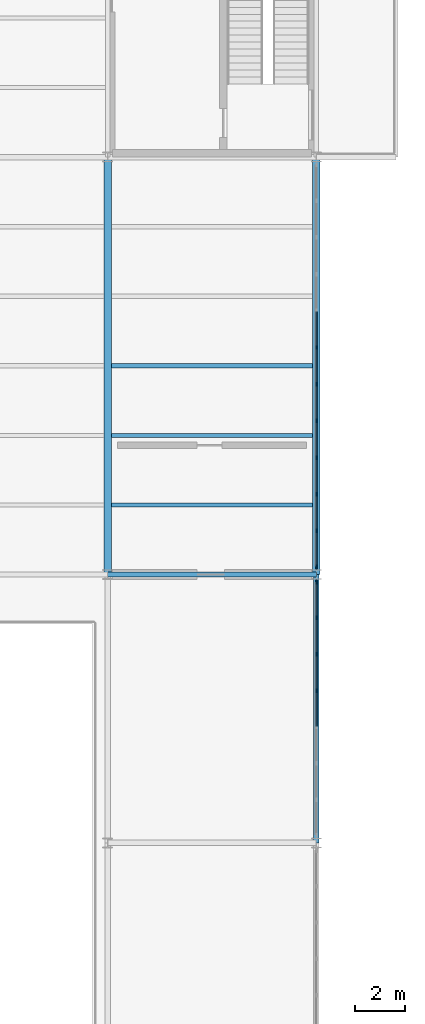
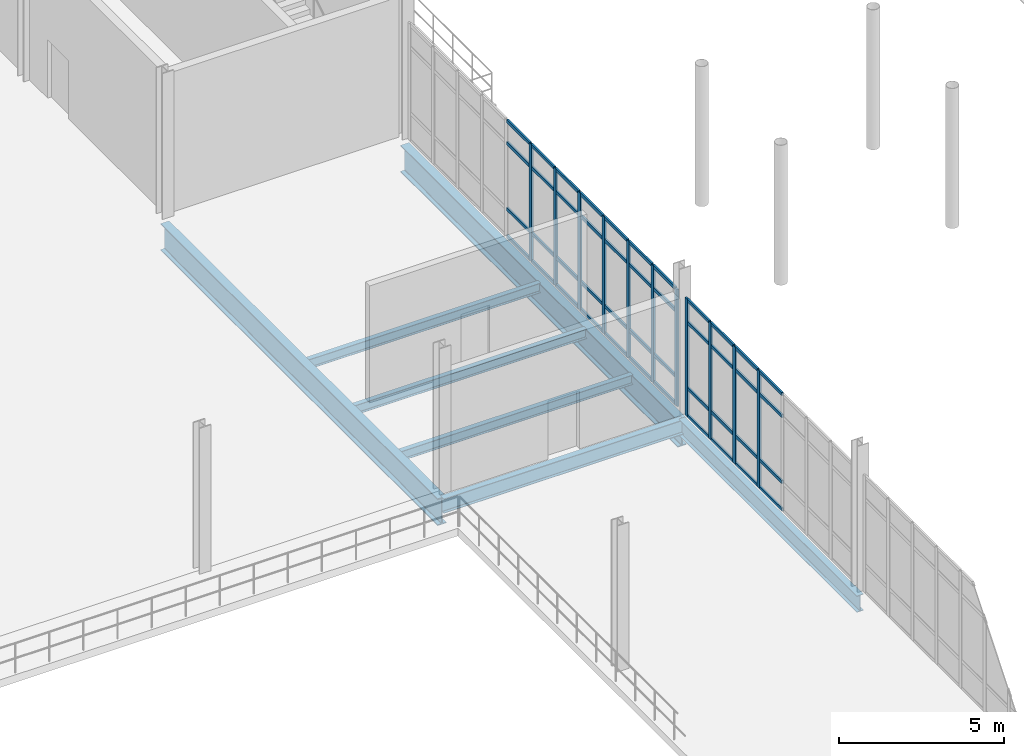
# One storey, part 40 of 111: 55 members, 7 beams, 2 elements without a shape of their own.
"""IFC4 building model written with IfcOpenShell, lengths in metres."""

from ifc_helpers import new_model, si_unit, direction, frame, origin, origin_2d, place, context, subcontext, project, spatial, rectangle, i_section, extrude, material, layer, layer_set, material_profile, profile_set, type_object, element, aggregate, save


model = new_model("IFC4")

# Units and contexts
model_context = context("Model", 3, precision=1e-05, world=origin(), true_north=direction((0.0, 1.0)))
body_context = subcontext(model_context, "Body", "Model", "MODEL_VIEW")
ifc_project = project(units=[si_unit("LENGTHUNIT", "METRE"), si_unit("AREAUNIT", "SQUARE_METRE"), si_unit("VOLUMEUNIT", "CUBIC_METRE"), si_unit("PLANEANGLEUNIT", "RADIAN"), si_unit("MASSUNIT", "GRAM", prefix="KILO"), si_unit("THERMODYNAMICTEMPERATUREUNIT", "KELVIN"), si_unit("POWERUNIT", "WATT")], contexts=[model_context])

# Site, building, storey
site_placement = place(None, origin())
site = spatial("IfcSite", under=ifc_project, at=site_placement, CompositionType="ELEMENT")
building_placement = place(site_placement, origin())
building = spatial("IfcBuilding", under=site, at=building_placement, Name="Tembeka Court Mobility Hub", CompositionType="ELEMENT")
storey_placement = place(building_placement, origin())
storey = spatial("IfcBuildingStorey", under=building, at=storey_placement, Name="L00", CompositionType="ELEMENT", Elevation=0.0)

# Beams
ifc_material_1 = material(Name="Steel S355", Category="steel")
ifc_material_profile_1 = material_profile(ifc_material_1, i_section(OverallWidth=0.22900390625, OverallDepth=0.612060546875, WebThickness=0.011962890625, FlangeThickness=0.01953125, FilletRadius=0.0126953125, at=origin_2d()), Name="UKB 610x229x125")
ifc_profile_set_1 = profile_set([ifc_material_profile_1], Name="Steel S355")
beam_type_1 = type_object("IfcBeamType", Name="BM-G02", PredefinedType="USERDEFINED", material=ifc_profile_set_1)
beam_1_placement = place(storey_placement, frame((92.39990234375, 10.800048828125, -0.5859375), z_axis=(0.0, 1.0, 0.0), x_axis=(-1.0, 0.0, 0.0)))
element("IfcBeam", 1, at=beam_1_placement, inside=storey, type_object=beam_type_1, Name="Beam G02 (BM-L00-Y0259)", ObjectType="GIRDER", PredefinedType="USERDEFINED", context=body_context, shape_type="SweptSolid", body=[
    extrude(i_section(OverallWidth=0.22900390625, OverallDepth=0.612060546875, WebThickness=0.011962890625, FlangeThickness=0.01953125, FilletRadius=0.0126953125, at=origin_2d()), origin(), (0.0, 0.0, 1.0), 10.800048828125),
])
ifc_material_profile_2 = material_profile(ifc_material_1, i_section(OverallWidth=0.2099609375, OverallDepth=0.537109375, WebThickness=0.0107421875, FlangeThickness=0.017333984375, FilletRadius=0.0126953125, at=origin_2d()), Name="UKB 533x210x101")
ifc_profile_set_2 = profile_set([ifc_material_profile_2], Name="Steel S355")
beam_type_2 = type_object("IfcBeamType", Name="BM-G03", PredefinedType="USERDEFINED", material=ifc_profile_set_2)
beam_2_placement = place(storey_placement, frame((84.0, 21.60009765625, -0.548583984375), z_axis=(1.0, 0.0, 0.0), x_axis=(0.0, 1.0, 0.0)))
element("IfcBeam", 2, at=beam_2_placement, inside=storey, type_object=beam_type_2, Name="Beam G03 (BM-L00-X0034)", ObjectType="GIRDER", PredefinedType="USERDEFINED", context=body_context, shape_type="SweptSolid", body=[
    extrude(i_section(OverallWidth=0.2099609375, OverallDepth=0.537109375, WebThickness=0.0107421875, FlangeThickness=0.017333984375, FilletRadius=0.0126953125, at=origin_2d()), origin(), (0.0, 0.0, 1.0), 8.39990234375),
])
ifc_material_profile_3 = material_profile(ifc_material_1, i_section(OverallWidth=0.172119140625, OverallDepth=0.35498046875, WebThickness=0.00732421875, FlangeThickness=0.011474609375, FilletRadius=0.01025390625, at=origin_2d()), Name="UKB 356x171x51")
ifc_profile_set_3 = profile_set([ifc_material_profile_3], Name="Steel S355")
beam_type_3 = type_object("IfcBeamType", Name="BM-J01", PredefinedType="JOIST", material=ifc_profile_set_3)
for number, where, z_axis, x_axis, name in (
    (3, (84.14501953125, 24.39990234375, -0.45751953125), (1.0, 0.0, 0.0), (0.0, 1.0, 0.0), "Beam J01 (JST-L00-0510)"),
    (4, (84.14501953125, 27.199951171875, -0.45751953125), (1.0, 0.0, 0.0), (0.0, 1.0, 0.0), "Beam J01 (JST-L00-0511)"),
    (5, (84.14501953125, 30.0, -0.45751953125), (1.0, 0.0, 0.0), (0.0, 1.0, 0.0), "Beam J01 (JST-L00-0512)"),
):
    element("IfcBeam", number, at=place(storey_placement, frame(where, z_axis=z_axis, x_axis=x_axis)), inside=storey, type_object=beam_type_3, Name=name, PredefinedType="JOIST", context=body_context, shape_type="SweptSolid", body=[
        extrude(i_section(OverallWidth=0.172119140625, OverallDepth=0.35498046875, WebThickness=0.00732421875, FlangeThickness=0.011474609375, FilletRadius=0.01025390625, at=origin_2d()), origin(), (0.0, 0.0, 1.0), 8.10986328125),
    ])
ifc_material_profile_4 = material_profile(ifc_material_1, i_section(OverallWidth=0.300048828125, OverallDepth=1.0, WebThickness=0.01904296875, FlangeThickness=0.035888671875, FilletRadius=0.030029296875, at=origin_2d()), Name="HEB 1000")
ifc_profile_set_4 = profile_set([ifc_material_profile_4], Name="Steel S355")
beam_type_4 = type_object("IfcBeamType", Name="BM-TG01", PredefinedType="USERDEFINED", material=ifc_profile_set_4)
for number, where, z_axis, x_axis, name in (
    (6, (84.0, 21.60009765625, -0.780029296875), (0.0, 1.0, 0.0), (-1.0, 0.0, 0.0), "Beam TG01 (BM-L00-Y0249)"),
    (7, (92.39990234375, 21.60009765625, -0.820068359375), (0.0, 1.0, 0.0), (-1.0, 0.0, 0.0), "Beam TG01 (BM-L00-Y0260)"),
):
    element("IfcBeam", number, at=place(storey_placement, frame(where, z_axis=z_axis, x_axis=x_axis)), inside=storey, type_object=beam_type_4, Name=name, ObjectType="GIRDER", PredefinedType="USERDEFINED", context=body_context, shape_type="SweptSolid", body=[
        extrude(i_section(OverallWidth=0.300048828125, OverallDepth=1.0, WebThickness=0.01904296875, FlangeThickness=0.035888671875, FilletRadius=0.030029296875, at=origin_2d()), origin(), (0.0, 0.0, 1.0), 16.7998046875),
    ])

# Curtain wall, members
ifc_material_2 = material(Name="Anodised aluminium 6063-T6", Category="aluminium")
ifc_layer_1 = layer(ifc_material_2, 0.159912109375)
ifc_layer_set_1 = layer_set([ifc_layer_1], Name="Anodised aluminium 6063-T6")
curtain_wall_type_1 = type_object("IfcCurtainWallType", Name="CW-SYS18", PredefinedType="USERDEFINED", material=ifc_layer_set_1)
curtain_wall_1_placement = place(storey_placement, origin())
curtain_wall_1 = element("IfcCurtainWall", 8, at=curtain_wall_1_placement, inside=storey, type_object=curtain_wall_type_1, Name="Unitised curtain wall CW18 (CW-L00-025)", ObjectType="UNITISED GLAZING", PredefinedType="USERDEFINED")
ifc_material_profile_5 = material_profile(ifc_material_2, rectangle(XDim=0.06494140625, YDim=0.159912109375, at=origin_2d()), Name="ALU-MUL 65x160")
ifc_profile_set_5 = profile_set([ifc_material_profile_5], Name="Anodised aluminium 6063-T6")
member_type_1 = type_object("IfcMemberType", Name="CW-MUL01", PredefinedType="MULLION", material=ifc_profile_set_5)
member_1_placement = place(storey_placement, frame((92.39990234375, 16.931396484375, 0.0), z_axis=(0.0, 0.0, 1.0), x_axis=(-1.0, 0.0, 0.0)))
member_1 = element("IfcMember", 9, at=member_1_placement, type_object=member_type_1, Name="CW18 mullion 5", PredefinedType="MULLION", context=body_context, shape_type="SweptSolid", body=[
    extrude(rectangle(XDim=0.06494140625, YDim=0.159912109375, at=origin_2d()), origin(), (0.0, 0.0, 1.0), 4.3349609375),
])
member_2_placement = place(storey_placement, frame((92.39990234375, 18.394287109375, 0.0), z_axis=(0.0, 0.0, 1.0), x_axis=(-1.0, 0.0, 0.0)))
member_2 = element("IfcMember", 10, at=member_2_placement, type_object=member_type_1, Name="CW18 mullion 6", PredefinedType="MULLION", context=body_context, shape_type="SweptSolid", body=[
    extrude(rectangle(XDim=0.06494140625, YDim=0.159912109375, at=origin_2d()), origin(), (0.0, 0.0, 1.0), 4.3349609375),
])
member_3_placement = place(storey_placement, frame((92.39990234375, 19.857177734375, 0.0), z_axis=(0.0, 0.0, 1.0), x_axis=(-1.0, 0.0, 0.0)))
member_3 = element("IfcMember", 11, at=member_3_placement, type_object=member_type_1, Name="CW18 mullion 7", PredefinedType="MULLION", context=body_context, shape_type="SweptSolid", body=[
    extrude(rectangle(XDim=0.06494140625, YDim=0.159912109375, at=origin_2d()), origin(), (0.0, 0.0, 1.0), 4.3349609375),
])
member_4_placement = place(storey_placement, frame((92.39990234375, 21.28759765625, 0.0), z_axis=(0.0, 0.0, 1.0), x_axis=(-1.0, 0.0, 0.0)))
member_4 = element("IfcMember", 12, at=member_4_placement, type_object=member_type_1, Name="CW18 mullion 8", PredefinedType="MULLION", context=body_context, shape_type="SweptSolid", body=[
    extrude(rectangle(XDim=0.06494140625, YDim=0.159912109375, at=origin_2d()), origin(), (0.0, 0.0, 1.0), 4.3349609375),
])

ifc_layer_2 = layer(ifc_material_2, 0.159912109375)
ifc_layer_set_2 = layer_set([ifc_layer_2], Name="Anodised aluminium 6063-T6")
curtain_wall_type_2 = type_object("IfcCurtainWallType", Name="CW-SYS19", PredefinedType="USERDEFINED", material=ifc_layer_set_2)
curtain_wall_2_placement = place(storey_placement, origin())
curtain_wall_2 = element("IfcCurtainWall", 13, at=curtain_wall_2_placement, inside=storey, type_object=curtain_wall_type_2, Name="Unitised curtain wall CW19 (CW-L00-027)", ObjectType="UNITISED GLAZING", PredefinedType="USERDEFINED")
member_5_placement = place(storey_placement, frame((92.39990234375, 21.91259765625, 0.0), z_axis=(0.0, 0.0, 1.0), x_axis=(-1.0, 0.0, 0.0)))
member_5 = element("IfcMember", 14, at=member_5_placement, type_object=member_type_1, Name="CW19 mullion 1", PredefinedType="MULLION", context=body_context, shape_type="SweptSolid", body=[
    extrude(rectangle(XDim=0.06494140625, YDim=0.159912109375, at=origin_2d()), origin(), (0.0, 0.0, 1.0), 4.3349609375),
])
member_6_placement = place(storey_placement, frame((92.39990234375, 23.3564453125, 0.0), z_axis=(0.0, 0.0, 1.0), x_axis=(-1.0, 0.0, 0.0)))
member_6 = element("IfcMember", 15, at=member_6_placement, type_object=member_type_1, Name="CW19 mullion 2", PredefinedType="MULLION", context=body_context, shape_type="SweptSolid", body=[
    extrude(rectangle(XDim=0.06494140625, YDim=0.159912109375, at=origin_2d()), origin(), (0.0, 0.0, 1.0), 4.3349609375),
])
member_7_placement = place(storey_placement, frame((92.39990234375, 24.832763671875, 0.0), z_axis=(0.0, 0.0, 1.0), x_axis=(-1.0, 0.0, 0.0)))
member_7 = element("IfcMember", 16, at=member_7_placement, type_object=member_type_1, Name="CW19 mullion 3", PredefinedType="MULLION", context=body_context, shape_type="SweptSolid", body=[
    extrude(rectangle(XDim=0.06494140625, YDim=0.159912109375, at=origin_2d()), origin(), (0.0, 0.0, 1.0), 4.3349609375),
])
member_8_placement = place(storey_placement, frame((92.39990234375, 26.30908203125, 0.0), z_axis=(0.0, 0.0, 1.0), x_axis=(-1.0, 0.0, 0.0)))
member_8 = element("IfcMember", 17, at=member_8_placement, type_object=member_type_1, Name="CW19 mullion 4", PredefinedType="MULLION", context=body_context, shape_type="SweptSolid", body=[
    extrude(rectangle(XDim=0.06494140625, YDim=0.159912109375, at=origin_2d()), origin(), (0.0, 0.0, 1.0), 4.3349609375),
])
member_9_placement = place(storey_placement, frame((92.39990234375, 27.785400390625, 0.0), z_axis=(0.0, 0.0, 1.0), x_axis=(-1.0, 0.0, 0.0)))
member_9 = element("IfcMember", 18, at=member_9_placement, type_object=member_type_1, Name="CW19 mullion 5", PredefinedType="MULLION", context=body_context, shape_type="SweptSolid", body=[
    extrude(rectangle(XDim=0.06494140625, YDim=0.159912109375, at=origin_2d()), origin(), (0.0, 0.0, 1.0), 4.3349609375),
])
member_10_placement = place(storey_placement, frame((92.39990234375, 29.26171875, 0.0), z_axis=(0.0, 0.0, 1.0), x_axis=(-1.0, 0.0, 0.0)))
member_10 = element("IfcMember", 19, at=member_10_placement, type_object=member_type_1, Name="CW19 mullion 6", PredefinedType="MULLION", context=body_context, shape_type="SweptSolid", body=[
    extrude(rectangle(XDim=0.06494140625, YDim=0.159912109375, at=origin_2d()), origin(), (0.0, 0.0, 1.0), 4.3349609375),
])
member_11_placement = place(storey_placement, frame((92.39990234375, 30.73828125, 0.0), z_axis=(0.0, 0.0, 1.0), x_axis=(-1.0, 0.0, 0.0)))
member_11 = element("IfcMember", 20, at=member_11_placement, type_object=member_type_1, Name="CW19 mullion 7", PredefinedType="MULLION", context=body_context, shape_type="SweptSolid", body=[
    extrude(rectangle(XDim=0.06494140625, YDim=0.159912109375, at=origin_2d()), origin(), (0.0, 0.0, 1.0), 4.3349609375),
])

# Member
ifc_material_profile_6 = material_profile(ifc_material_2, rectangle(XDim=0.06494140625, YDim=0.1201171875, at=origin_2d()), Name="ALU-TRN 65x120")
ifc_profile_set_6 = profile_set([ifc_material_profile_6], Name="Anodised aluminium 6063-T6")
member_type_2 = type_object("IfcMemberType", Name="CW-TRN01", PredefinedType="USERDEFINED", material=ifc_profile_set_6)
member_12_placement = place(storey_placement, frame((92.39990234375, 15.5009765625, 0.032470703125), z_axis=(0.0, 1.0, 0.0), x_axis=(-1.0, 0.0, 0.0)))
member_12 = element("IfcMember", 21, at=member_12_placement, type_object=member_type_2, Name="CW18 transom 4.1", ObjectType="TRANSOM", PredefinedType="USERDEFINED", context=body_context, shape_type="SweptSolid", body=[
    extrude(rectangle(XDim=0.06494140625, YDim=0.1201171875, at=origin_2d()), origin(), (0.0, 0.0, 1.0), 1.39794921875),
])

member_13_placement = place(storey_placement, frame((92.39990234375, 15.5009765625, 1.050048828125), z_axis=(0.0, 1.0, 0.0), x_axis=(-1.0, 0.0, 0.0)))
member_13 = element("IfcMember", 22, at=member_13_placement, type_object=member_type_2, Name="CW18 transom 4.2", ObjectType="TRANSOM", PredefinedType="USERDEFINED", context=body_context, shape_type="SweptSolid", body=[
    extrude(rectangle(XDim=0.06494140625, YDim=0.1201171875, at=origin_2d()), origin(), (0.0, 0.0, 1.0), 1.39794921875),
])

member_14_placement = place(storey_placement, frame((92.39990234375, 15.5009765625, 3.485107421875), z_axis=(0.0, 1.0, 0.0), x_axis=(-1.0, 0.0, 0.0)))
member_14 = element("IfcMember", 23, at=member_14_placement, type_object=member_type_2, Name="CW18 transom 4.3", ObjectType="TRANSOM", PredefinedType="USERDEFINED", context=body_context, shape_type="SweptSolid", body=[
    extrude(rectangle(XDim=0.06494140625, YDim=0.1201171875, at=origin_2d()), origin(), (0.0, 0.0, 1.0), 1.39794921875),
])

member_15_placement = place(storey_placement, frame((92.39990234375, 15.5009765625, 4.302490234375), z_axis=(0.0, 1.0, 0.0), x_axis=(-1.0, 0.0, 0.0)))
member_15 = element("IfcMember", 24, at=member_15_placement, type_object=member_type_2, Name="CW18 transom 4.4", ObjectType="TRANSOM", PredefinedType="USERDEFINED", context=body_context, shape_type="SweptSolid", body=[
    extrude(rectangle(XDim=0.06494140625, YDim=0.1201171875, at=origin_2d()), origin(), (0.0, 0.0, 1.0), 1.39794921875),
])

member_16_placement = place(storey_placement, frame((92.39990234375, 16.9638671875, 0.032470703125), z_axis=(0.0, 1.0, 0.0), x_axis=(-1.0, 0.0, 0.0)))
member_16 = element("IfcMember", 25, at=member_16_placement, type_object=member_type_2, Name="CW18 transom 5.1", ObjectType="TRANSOM", PredefinedType="USERDEFINED", context=body_context, shape_type="SweptSolid", body=[
    extrude(rectangle(XDim=0.06494140625, YDim=0.1201171875, at=origin_2d()), origin(), (0.0, 0.0, 1.0), 1.39794921875),
])

member_17_placement = place(storey_placement, frame((92.39990234375, 16.9638671875, 1.050048828125), z_axis=(0.0, 1.0, 0.0), x_axis=(-1.0, 0.0, 0.0)))
member_17 = element("IfcMember", 26, at=member_17_placement, type_object=member_type_2, Name="CW18 transom 5.2", ObjectType="TRANSOM", PredefinedType="USERDEFINED", context=body_context, shape_type="SweptSolid", body=[
    extrude(rectangle(XDim=0.06494140625, YDim=0.1201171875, at=origin_2d()), origin(), (0.0, 0.0, 1.0), 1.39794921875),
])

member_18_placement = place(storey_placement, frame((92.39990234375, 16.9638671875, 3.485107421875), z_axis=(0.0, 1.0, 0.0), x_axis=(-1.0, 0.0, 0.0)))
member_18 = element("IfcMember", 27, at=member_18_placement, type_object=member_type_2, Name="CW18 transom 5.3", ObjectType="TRANSOM", PredefinedType="USERDEFINED", context=body_context, shape_type="SweptSolid", body=[
    extrude(rectangle(XDim=0.06494140625, YDim=0.1201171875, at=origin_2d()), origin(), (0.0, 0.0, 1.0), 1.39794921875),
])

member_19_placement = place(storey_placement, frame((92.39990234375, 16.9638671875, 4.302490234375), z_axis=(0.0, 1.0, 0.0), x_axis=(-1.0, 0.0, 0.0)))
member_19 = element("IfcMember", 28, at=member_19_placement, type_object=member_type_2, Name="CW18 transom 5.4", ObjectType="TRANSOM", PredefinedType="USERDEFINED", context=body_context, shape_type="SweptSolid", body=[
    extrude(rectangle(XDim=0.06494140625, YDim=0.1201171875, at=origin_2d()), origin(), (0.0, 0.0, 1.0), 1.39794921875),
])

member_20_placement = place(storey_placement, frame((92.39990234375, 18.4267578125, 0.032470703125), z_axis=(0.0, 1.0, 0.0), x_axis=(-1.0, 0.0, 0.0)))
member_20 = element("IfcMember", 29, at=member_20_placement, type_object=member_type_2, Name="CW18 transom 6.1", ObjectType="TRANSOM", PredefinedType="USERDEFINED", context=body_context, shape_type="SweptSolid", body=[
    extrude(rectangle(XDim=0.06494140625, YDim=0.1201171875, at=origin_2d()), origin(), (0.0, 0.0, 1.0), 1.39794921875),
])

member_21_placement = place(storey_placement, frame((92.39990234375, 18.4267578125, 1.050048828125), z_axis=(0.0, 1.0, 0.0), x_axis=(-1.0, 0.0, 0.0)))
member_21 = element("IfcMember", 30, at=member_21_placement, type_object=member_type_2, Name="CW18 transom 6.2", ObjectType="TRANSOM", PredefinedType="USERDEFINED", context=body_context, shape_type="SweptSolid", body=[
    extrude(rectangle(XDim=0.06494140625, YDim=0.1201171875, at=origin_2d()), origin(), (0.0, 0.0, 1.0), 1.39794921875),
])

member_22_placement = place(storey_placement, frame((92.39990234375, 18.4267578125, 3.485107421875), z_axis=(0.0, 1.0, 0.0), x_axis=(-1.0, 0.0, 0.0)))
member_22 = element("IfcMember", 31, at=member_22_placement, type_object=member_type_2, Name="CW18 transom 6.3", ObjectType="TRANSOM", PredefinedType="USERDEFINED", context=body_context, shape_type="SweptSolid", body=[
    extrude(rectangle(XDim=0.06494140625, YDim=0.1201171875, at=origin_2d()), origin(), (0.0, 0.0, 1.0), 1.39794921875),
])

member_23_placement = place(storey_placement, frame((92.39990234375, 18.4267578125, 4.302490234375), z_axis=(0.0, 1.0, 0.0), x_axis=(-1.0, 0.0, 0.0)))
member_23 = element("IfcMember", 32, at=member_23_placement, type_object=member_type_2, Name="CW18 transom 6.4", ObjectType="TRANSOM", PredefinedType="USERDEFINED", context=body_context, shape_type="SweptSolid", body=[
    extrude(rectangle(XDim=0.06494140625, YDim=0.1201171875, at=origin_2d()), origin(), (0.0, 0.0, 1.0), 1.39794921875),
])

member_24_placement = place(storey_placement, frame((92.39990234375, 19.8896484375, 0.032470703125), z_axis=(0.0, 1.0, 0.0), x_axis=(-1.0, 0.0, 0.0)))
member_24 = element("IfcMember", 33, at=member_24_placement, type_object=member_type_2, Name="CW18 transom 7.1", ObjectType="TRANSOM", PredefinedType="USERDEFINED", context=body_context, shape_type="SweptSolid", body=[
    extrude(rectangle(XDim=0.06494140625, YDim=0.1201171875, at=origin_2d()), origin(), (0.0, 0.0, 1.0), 1.365234375),
])

member_25_placement = place(storey_placement, frame((92.39990234375, 19.8896484375, 1.050048828125), z_axis=(0.0, 1.0, 0.0), x_axis=(-1.0, 0.0, 0.0)))
member_25 = element("IfcMember", 34, at=member_25_placement, type_object=member_type_2, Name="CW18 transom 7.2", ObjectType="TRANSOM", PredefinedType="USERDEFINED", context=body_context, shape_type="SweptSolid", body=[
    extrude(rectangle(XDim=0.06494140625, YDim=0.1201171875, at=origin_2d()), origin(), (0.0, 0.0, 1.0), 1.365234375),
])

member_26_placement = place(storey_placement, frame((92.39990234375, 19.8896484375, 3.485107421875), z_axis=(0.0, 1.0, 0.0), x_axis=(-1.0, 0.0, 0.0)))
member_26 = element("IfcMember", 35, at=member_26_placement, type_object=member_type_2, Name="CW18 transom 7.3", ObjectType="TRANSOM", PredefinedType="USERDEFINED", context=body_context, shape_type="SweptSolid", body=[
    extrude(rectangle(XDim=0.06494140625, YDim=0.1201171875, at=origin_2d()), origin(), (0.0, 0.0, 1.0), 1.365234375),
])

member_27_placement = place(storey_placement, frame((92.39990234375, 19.8896484375, 4.302490234375), z_axis=(0.0, 1.0, 0.0), x_axis=(-1.0, 0.0, 0.0)))
member_27 = element("IfcMember", 36, at=member_27_placement, type_object=member_type_2, Name="CW18 transom 7.4", ObjectType="TRANSOM", PredefinedType="USERDEFINED", context=body_context, shape_type="SweptSolid", body=[
    extrude(rectangle(XDim=0.06494140625, YDim=0.1201171875, at=origin_2d()), origin(), (0.0, 0.0, 1.0), 1.365234375),
])

aggregate(curtain_wall_1, [member_1, member_2, member_3, member_4, member_12, member_13, member_14, member_15, member_16, member_17, member_18, member_19, member_20, member_21, member_22, member_23, member_24, member_25, member_26, member_27])

member_28_placement = place(storey_placement, frame((92.39990234375, 21.945068359375, 0.032470703125), z_axis=(0.0, 1.0, 0.0), x_axis=(-1.0, 0.0, 0.0)))
member_28 = element("IfcMember", 37, at=member_28_placement, type_object=member_type_2, Name="CW19 transom 1.1", ObjectType="TRANSOM", PredefinedType="USERDEFINED", context=body_context, shape_type="SweptSolid", body=[
    extrude(rectangle(XDim=0.06494140625, YDim=0.1201171875, at=origin_2d()), origin(), (0.0, 0.0, 1.0), 1.37890625),
])

member_29_placement = place(storey_placement, frame((92.39990234375, 21.945068359375, 1.050048828125), z_axis=(0.0, 1.0, 0.0), x_axis=(-1.0, 0.0, 0.0)))
member_29 = element("IfcMember", 38, at=member_29_placement, type_object=member_type_2, Name="CW19 transom 1.2", ObjectType="TRANSOM", PredefinedType="USERDEFINED", context=body_context, shape_type="SweptSolid", body=[
    extrude(rectangle(XDim=0.06494140625, YDim=0.1201171875, at=origin_2d()), origin(), (0.0, 0.0, 1.0), 1.37890625),
])

member_30_placement = place(storey_placement, frame((92.39990234375, 21.945068359375, 3.485107421875), z_axis=(0.0, 1.0, 0.0), x_axis=(-1.0, 0.0, 0.0)))
member_30 = element("IfcMember", 39, at=member_30_placement, type_object=member_type_2, Name="CW19 transom 1.3", ObjectType="TRANSOM", PredefinedType="USERDEFINED", context=body_context, shape_type="SweptSolid", body=[
    extrude(rectangle(XDim=0.06494140625, YDim=0.1201171875, at=origin_2d()), origin(), (0.0, 0.0, 1.0), 1.37890625),
])

member_31_placement = place(storey_placement, frame((92.39990234375, 21.945068359375, 4.302490234375), z_axis=(0.0, 1.0, 0.0), x_axis=(-1.0, 0.0, 0.0)))
member_31 = element("IfcMember", 40, at=member_31_placement, type_object=member_type_2, Name="CW19 transom 1.4", ObjectType="TRANSOM", PredefinedType="USERDEFINED", context=body_context, shape_type="SweptSolid", body=[
    extrude(rectangle(XDim=0.06494140625, YDim=0.1201171875, at=origin_2d()), origin(), (0.0, 0.0, 1.0), 1.37890625),
])

member_32_placement = place(storey_placement, frame((92.39990234375, 23.388916015625, 0.032470703125), z_axis=(0.0, 1.0, 0.0), x_axis=(-1.0, 0.0, 0.0)))
member_32 = element("IfcMember", 41, at=member_32_placement, type_object=member_type_2, Name="CW19 transom 2.1", ObjectType="TRANSOM", PredefinedType="USERDEFINED", context=body_context, shape_type="SweptSolid", body=[
    extrude(rectangle(XDim=0.06494140625, YDim=0.1201171875, at=origin_2d()), origin(), (0.0, 0.0, 1.0), 1.411376953125),
])

member_33_placement = place(storey_placement, frame((92.39990234375, 23.388916015625, 1.050048828125), z_axis=(0.0, 1.0, 0.0), x_axis=(-1.0, 0.0, 0.0)))
member_33 = element("IfcMember", 42, at=member_33_placement, type_object=member_type_2, Name="CW19 transom 2.2", ObjectType="TRANSOM", PredefinedType="USERDEFINED", context=body_context, shape_type="SweptSolid", body=[
    extrude(rectangle(XDim=0.06494140625, YDim=0.1201171875, at=origin_2d()), origin(), (0.0, 0.0, 1.0), 1.411376953125),
])

member_34_placement = place(storey_placement, frame((92.39990234375, 23.388916015625, 3.485107421875), z_axis=(0.0, 1.0, 0.0), x_axis=(-1.0, 0.0, 0.0)))
member_34 = element("IfcMember", 43, at=member_34_placement, type_object=member_type_2, Name="CW19 transom 2.3", ObjectType="TRANSOM", PredefinedType="USERDEFINED", context=body_context, shape_type="SweptSolid", body=[
    extrude(rectangle(XDim=0.06494140625, YDim=0.1201171875, at=origin_2d()), origin(), (0.0, 0.0, 1.0), 1.411376953125),
])

member_35_placement = place(storey_placement, frame((92.39990234375, 23.388916015625, 4.302490234375), z_axis=(0.0, 1.0, 0.0), x_axis=(-1.0, 0.0, 0.0)))
member_35 = element("IfcMember", 44, at=member_35_placement, type_object=member_type_2, Name="CW19 transom 2.4", ObjectType="TRANSOM", PredefinedType="USERDEFINED", context=body_context, shape_type="SweptSolid", body=[
    extrude(rectangle(XDim=0.06494140625, YDim=0.1201171875, at=origin_2d()), origin(), (0.0, 0.0, 1.0), 1.411376953125),
])

member_36_placement = place(storey_placement, frame((92.39990234375, 24.865234375, 0.032470703125), z_axis=(0.0, 1.0, 0.0), x_axis=(-1.0, 0.0, 0.0)))
member_36 = element("IfcMember", 45, at=member_36_placement, type_object=member_type_2, Name="CW19 transom 3.1", ObjectType="TRANSOM", PredefinedType="USERDEFINED", context=body_context, shape_type="SweptSolid", body=[
    extrude(rectangle(XDim=0.06494140625, YDim=0.1201171875, at=origin_2d()), origin(), (0.0, 0.0, 1.0), 1.411376953125),
])

member_37_placement = place(storey_placement, frame((92.39990234375, 24.865234375, 1.050048828125), z_axis=(0.0, 1.0, 0.0), x_axis=(-1.0, 0.0, 0.0)))
member_37 = element("IfcMember", 46, at=member_37_placement, type_object=member_type_2, Name="CW19 transom 3.2", ObjectType="TRANSOM", PredefinedType="USERDEFINED", context=body_context, shape_type="SweptSolid", body=[
    extrude(rectangle(XDim=0.06494140625, YDim=0.1201171875, at=origin_2d()), origin(), (0.0, 0.0, 1.0), 1.411376953125),
])

member_38_placement = place(storey_placement, frame((92.39990234375, 24.865234375, 3.485107421875), z_axis=(0.0, 1.0, 0.0), x_axis=(-1.0, 0.0, 0.0)))
member_38 = element("IfcMember", 47, at=member_38_placement, type_object=member_type_2, Name="CW19 transom 3.3", ObjectType="TRANSOM", PredefinedType="USERDEFINED", context=body_context, shape_type="SweptSolid", body=[
    extrude(rectangle(XDim=0.06494140625, YDim=0.1201171875, at=origin_2d()), origin(), (0.0, 0.0, 1.0), 1.411376953125),
])

member_39_placement = place(storey_placement, frame((92.39990234375, 24.865234375, 4.302490234375), z_axis=(0.0, 1.0, 0.0), x_axis=(-1.0, 0.0, 0.0)))
member_39 = element("IfcMember", 48, at=member_39_placement, type_object=member_type_2, Name="CW19 transom 3.4", ObjectType="TRANSOM", PredefinedType="USERDEFINED", context=body_context, shape_type="SweptSolid", body=[
    extrude(rectangle(XDim=0.06494140625, YDim=0.1201171875, at=origin_2d()), origin(), (0.0, 0.0, 1.0), 1.411376953125),
])

member_40_placement = place(storey_placement, frame((92.39990234375, 26.341552734375, 0.032470703125), z_axis=(0.0, 1.0, 0.0), x_axis=(-1.0, 0.0, 0.0)))
member_40 = element("IfcMember", 49, at=member_40_placement, type_object=member_type_2, Name="CW19 transom 4.1", ObjectType="TRANSOM", PredefinedType="USERDEFINED", context=body_context, shape_type="SweptSolid", body=[
    extrude(rectangle(XDim=0.06494140625, YDim=0.1201171875, at=origin_2d()), origin(), (0.0, 0.0, 1.0), 1.411376953125),
])

member_41_placement = place(storey_placement, frame((92.39990234375, 26.341552734375, 1.050048828125), z_axis=(0.0, 1.0, 0.0), x_axis=(-1.0, 0.0, 0.0)))
member_41 = element("IfcMember", 50, at=member_41_placement, type_object=member_type_2, Name="CW19 transom 4.2", ObjectType="TRANSOM", PredefinedType="USERDEFINED", context=body_context, shape_type="SweptSolid", body=[
    extrude(rectangle(XDim=0.06494140625, YDim=0.1201171875, at=origin_2d()), origin(), (0.0, 0.0, 1.0), 1.411376953125),
])

member_42_placement = place(storey_placement, frame((92.39990234375, 26.341552734375, 3.485107421875), z_axis=(0.0, 1.0, 0.0), x_axis=(-1.0, 0.0, 0.0)))
member_42 = element("IfcMember", 51, at=member_42_placement, type_object=member_type_2, Name="CW19 transom 4.3", ObjectType="TRANSOM", PredefinedType="USERDEFINED", context=body_context, shape_type="SweptSolid", body=[
    extrude(rectangle(XDim=0.06494140625, YDim=0.1201171875, at=origin_2d()), origin(), (0.0, 0.0, 1.0), 1.411376953125),
])

member_43_placement = place(storey_placement, frame((92.39990234375, 26.341552734375, 4.302490234375), z_axis=(0.0, 1.0, 0.0), x_axis=(-1.0, 0.0, 0.0)))
member_43 = element("IfcMember", 52, at=member_43_placement, type_object=member_type_2, Name="CW19 transom 4.4", ObjectType="TRANSOM", PredefinedType="USERDEFINED", context=body_context, shape_type="SweptSolid", body=[
    extrude(rectangle(XDim=0.06494140625, YDim=0.1201171875, at=origin_2d()), origin(), (0.0, 0.0, 1.0), 1.411376953125),
])

member_44_placement = place(storey_placement, frame((92.39990234375, 27.81787109375, 0.032470703125), z_axis=(0.0, 1.0, 0.0), x_axis=(-1.0, 0.0, 0.0)))
member_44 = element("IfcMember", 53, at=member_44_placement, type_object=member_type_2, Name="CW19 transom 5.1", ObjectType="TRANSOM", PredefinedType="USERDEFINED", context=body_context, shape_type="SweptSolid", body=[
    extrude(rectangle(XDim=0.06494140625, YDim=0.1201171875, at=origin_2d()), origin(), (0.0, 0.0, 1.0), 1.411376953125),
])

member_45_placement = place(storey_placement, frame((92.39990234375, 27.81787109375, 1.050048828125), z_axis=(0.0, 1.0, 0.0), x_axis=(-1.0, 0.0, 0.0)))
member_45 = element("IfcMember", 54, at=member_45_placement, type_object=member_type_2, Name="CW19 transom 5.2", ObjectType="TRANSOM", PredefinedType="USERDEFINED", context=body_context, shape_type="SweptSolid", body=[
    extrude(rectangle(XDim=0.06494140625, YDim=0.1201171875, at=origin_2d()), origin(), (0.0, 0.0, 1.0), 1.411376953125),
])

member_46_placement = place(storey_placement, frame((92.39990234375, 27.81787109375, 3.485107421875), z_axis=(0.0, 1.0, 0.0), x_axis=(-1.0, 0.0, 0.0)))
member_46 = element("IfcMember", 55, at=member_46_placement, type_object=member_type_2, Name="CW19 transom 5.3", ObjectType="TRANSOM", PredefinedType="USERDEFINED", context=body_context, shape_type="SweptSolid", body=[
    extrude(rectangle(XDim=0.06494140625, YDim=0.1201171875, at=origin_2d()), origin(), (0.0, 0.0, 1.0), 1.411376953125),
])

member_47_placement = place(storey_placement, frame((92.39990234375, 27.81787109375, 4.302490234375), z_axis=(0.0, 1.0, 0.0), x_axis=(-1.0, 0.0, 0.0)))
member_47 = element("IfcMember", 56, at=member_47_placement, type_object=member_type_2, Name="CW19 transom 5.4", ObjectType="TRANSOM", PredefinedType="USERDEFINED", context=body_context, shape_type="SweptSolid", body=[
    extrude(rectangle(XDim=0.06494140625, YDim=0.1201171875, at=origin_2d()), origin(), (0.0, 0.0, 1.0), 1.411376953125),
])

member_48_placement = place(storey_placement, frame((92.39990234375, 29.29443359375, 0.032470703125), z_axis=(0.0, 1.0, 0.0), x_axis=(-1.0, 0.0, 0.0)))
member_48 = element("IfcMember", 57, at=member_48_placement, type_object=member_type_2, Name="CW19 transom 6.1", ObjectType="TRANSOM", PredefinedType="USERDEFINED", context=body_context, shape_type="SweptSolid", body=[
    extrude(rectangle(XDim=0.06494140625, YDim=0.1201171875, at=origin_2d()), origin(), (0.0, 0.0, 1.0), 1.4111328125),
])

member_49_placement = place(storey_placement, frame((92.39990234375, 29.29443359375, 1.050048828125), z_axis=(0.0, 1.0, 0.0), x_axis=(-1.0, 0.0, 0.0)))
member_49 = element("IfcMember", 58, at=member_49_placement, type_object=member_type_2, Name="CW19 transom 6.2", ObjectType="TRANSOM", PredefinedType="USERDEFINED", context=body_context, shape_type="SweptSolid", body=[
    extrude(rectangle(XDim=0.06494140625, YDim=0.1201171875, at=origin_2d()), origin(), (0.0, 0.0, 1.0), 1.4111328125),
])

member_50_placement = place(storey_placement, frame((92.39990234375, 29.29443359375, 3.485107421875), z_axis=(0.0, 1.0, 0.0), x_axis=(-1.0, 0.0, 0.0)))
member_50 = element("IfcMember", 59, at=member_50_placement, type_object=member_type_2, Name="CW19 transom 6.3", ObjectType="TRANSOM", PredefinedType="USERDEFINED", context=body_context, shape_type="SweptSolid", body=[
    extrude(rectangle(XDim=0.06494140625, YDim=0.1201171875, at=origin_2d()), origin(), (0.0, 0.0, 1.0), 1.4111328125),
])

member_51_placement = place(storey_placement, frame((92.39990234375, 29.29443359375, 4.302490234375), z_axis=(0.0, 1.0, 0.0), x_axis=(-1.0, 0.0, 0.0)))
member_51 = element("IfcMember", 60, at=member_51_placement, type_object=member_type_2, Name="CW19 transom 6.4", ObjectType="TRANSOM", PredefinedType="USERDEFINED", context=body_context, shape_type="SweptSolid", body=[
    extrude(rectangle(XDim=0.06494140625, YDim=0.1201171875, at=origin_2d()), origin(), (0.0, 0.0, 1.0), 1.4111328125),
])

member_52_placement = place(storey_placement, frame((92.39990234375, 30.770751953125, 0.032470703125), z_axis=(0.0, 1.0, 0.0), x_axis=(-1.0, 0.0, 0.0)))
member_52 = element("IfcMember", 61, at=member_52_placement, type_object=member_type_2, Name="CW19 transom 7.1", ObjectType="TRANSOM", PredefinedType="USERDEFINED", context=body_context, shape_type="SweptSolid", body=[
    extrude(rectangle(XDim=0.06494140625, YDim=0.1201171875, at=origin_2d()), origin(), (0.0, 0.0, 1.0), 1.411376953125),
])

member_53_placement = place(storey_placement, frame((92.39990234375, 30.770751953125, 1.050048828125), z_axis=(0.0, 1.0, 0.0), x_axis=(-1.0, 0.0, 0.0)))
member_53 = element("IfcMember", 62, at=member_53_placement, type_object=member_type_2, Name="CW19 transom 7.2", ObjectType="TRANSOM", PredefinedType="USERDEFINED", context=body_context, shape_type="SweptSolid", body=[
    extrude(rectangle(XDim=0.06494140625, YDim=0.1201171875, at=origin_2d()), origin(), (0.0, 0.0, 1.0), 1.411376953125),
])

member_54_placement = place(storey_placement, frame((92.39990234375, 30.770751953125, 3.485107421875), z_axis=(0.0, 1.0, 0.0), x_axis=(-1.0, 0.0, 0.0)))
member_54 = element("IfcMember", 63, at=member_54_placement, type_object=member_type_2, Name="CW19 transom 7.3", ObjectType="TRANSOM", PredefinedType="USERDEFINED", context=body_context, shape_type="SweptSolid", body=[
    extrude(rectangle(XDim=0.06494140625, YDim=0.1201171875, at=origin_2d()), origin(), (0.0, 0.0, 1.0), 1.411376953125),
])

member_55_placement = place(storey_placement, frame((92.39990234375, 30.770751953125, 4.302490234375), z_axis=(0.0, 1.0, 0.0), x_axis=(-1.0, 0.0, 0.0)))
member_55 = element("IfcMember", 64, at=member_55_placement, type_object=member_type_2, Name="CW19 transom 7.4", ObjectType="TRANSOM", PredefinedType="USERDEFINED", context=body_context, shape_type="SweptSolid", body=[
    extrude(rectangle(XDim=0.06494140625, YDim=0.1201171875, at=origin_2d()), origin(), (0.0, 0.0, 1.0), 1.411376953125),
])

aggregate(curtain_wall_2, [member_5, member_6, member_7, member_8, member_9, member_10, member_11, member_28, member_29, member_30, member_31, member_32, member_33, member_34, member_35, member_36, member_37, member_38, member_39, member_40, member_41, member_42, member_43, member_44, member_45, member_46, member_47, member_48, member_49, member_50, member_51, member_52, member_53, member_54, member_55])

save(model, "model.ifc")
